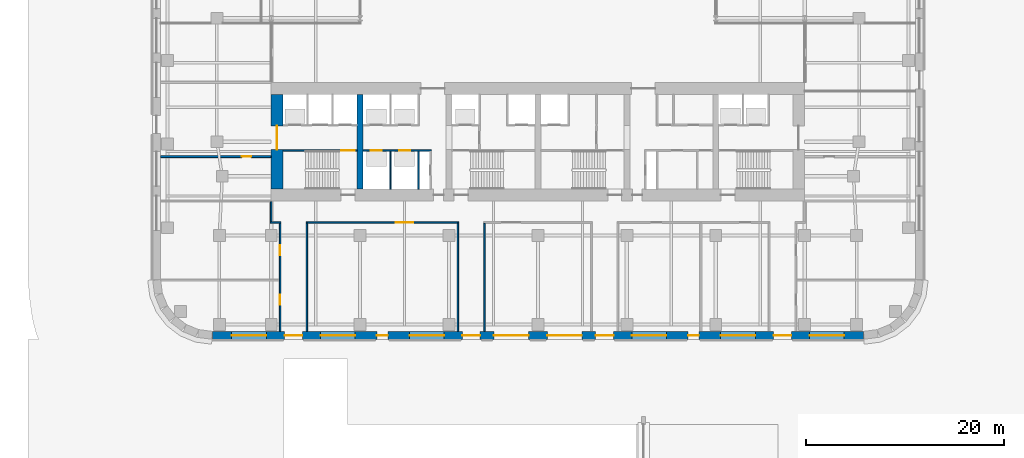
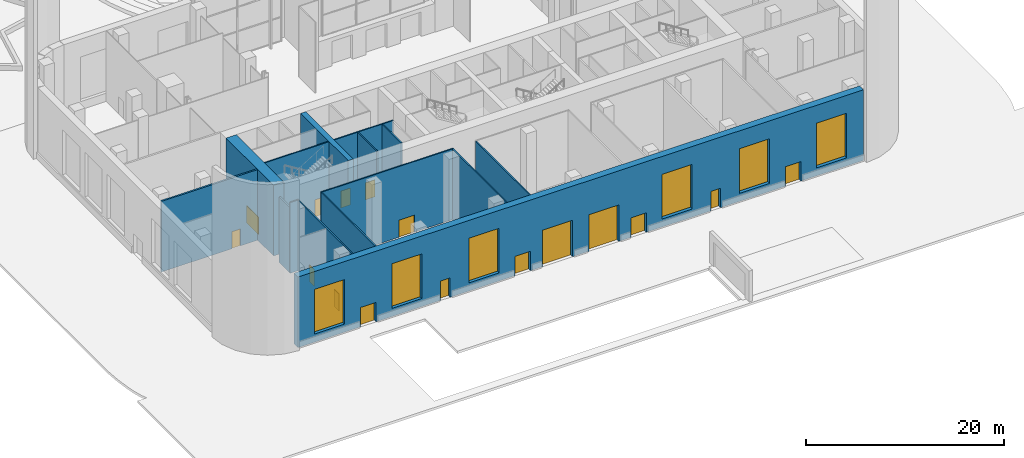
# One storey, part 10 of 23: 16 doors, 15 walls, 6 windows, 22 openings.
"""IFC4 building model written with IfcOpenShell, lengths in metres."""

from ifc_helpers import new_model, si_unit, direction, frame, frame_2d, origin, place, context, subcontext, project, spatial, rectangle, extrude, material, layer, layer_set, type_object, element, fill, save


model = new_model("IFC4")

# Units and contexts
model_context = context("Model", 3, precision=1e-05, world=origin(), true_north=direction((0.0, 1.0)))
body_context = subcontext(model_context, "Body", "Model", "MODEL_VIEW")
ifc_project = project(units=[si_unit("LENGTHUNIT", "METRE"), si_unit("AREAUNIT", "SQUARE_METRE"), si_unit("VOLUMEUNIT", "CUBIC_METRE"), si_unit("PLANEANGLEUNIT", "RADIAN"), si_unit("MASSUNIT", "GRAM", prefix="KILO")], contexts=[model_context])

# Site, building, storey
site_placement = place(None, origin())
site = spatial("IfcSite", under=ifc_project, at=site_placement, CompositionType="ELEMENT")
building_placement = place(site_placement, origin())
building = spatial("IfcBuilding", under=site, at=building_placement, Name="Zellij Exchange Tower", CompositionType="ELEMENT")
storey_placement = place(building_placement, origin())
storey = spatial("IfcBuildingStorey", under=building, at=storey_placement, Name="L00", CompositionType="ELEMENT", Elevation=0.0)

# Walls
ifc_material_1 = material(Name="Concrete C70/85", Category="concrete")
ifc_layer_1 = layer(ifc_material_1, 0.60009765625)
ifc_layer_set_1 = layer_set([ifc_layer_1], Name="Concrete C70/85")
wall_type_1 = type_object("IfcWallType", Name="CORE-CW 600 C70/85", PredefinedType="SHEAR", material=ifc_layer_set_1)
wall_1_placement = place(storey_placement, frame((-18.0, -12.800048828125, 0.0), z_axis=(0.0, 0.0, 1.0), x_axis=(0.0, 1.0, 0.0)))
element("IfcWall", 1, at=wall_1_placement, inside=storey, type_object=wall_type_1, Name="Core cross wall x -18 L00", PredefinedType="SHEAR", context=body_context, shape_type="SweptSolid", body=[
    extrude(rectangle(XDim=9.60009765625, YDim=0.60009765625, at=frame_2d((4.800048828125, 0.0))), origin(), (0.0, 0.0, 1.0), 8.699951171875),
])
ifc_material_2 = material(Name="Gypsum shaft wall system")
ifc_layer_2 = layer(ifc_material_2, 0.14990234375)
ifc_layer_set_2 = layer_set([ifc_layer_2], Name="Gypsum shaft wall system")
wall_type_2 = type_object("IfcWallType", Name="CORE-PW 150 Lift shaft wall", PredefinedType="PARTITIONING", material=ifc_layer_set_2)
for number, where, z_axis, x_axis, name in (
    (2, (-12.074951171875, -12.800048828125, 0.0), (0.0, 0.0, 1.0), (0.0, 1.0, 0.0), "Lift shaft wall L00"),
    (3, (-14.925048828125, -12.800048828125, 0.0), (0.0, 0.0, 1.0), (0.0, 1.0, 0.0), "Lift shaft wall L00"),
):
    element("IfcWall", number, at=place(storey_placement, frame(where, z_axis=z_axis, x_axis=x_axis)), inside=storey, type_object=wall_type_2, Name=name, PredefinedType="PARTITIONING", context=body_context, shape_type="SweptSolid", body=[
        extrude(rectangle(XDim=3.85009765625, YDim=0.14990234375, at=frame_2d((1.925048828125, 0.0))), origin(), (0.0, 0.0, 1.0), 8.699951171875),
    ])

# Wall, openings, doors
wall_2_placement = place(storey_placement, frame((-17.699951171875, -8.875, 0.0), z_axis=(0.0, 0.0, 1.0), x_axis=(1.0, 0.0, 0.0)))
wall_2 = element("IfcWall", 4, at=wall_2_placement, inside=storey, type_object=wall_type_2, Name="Lift shaft wall L00", PredefinedType="PARTITIONING", context=body_context, shape_type="SweptSolid", body=[
    extrude(rectangle(XDim=6.89990234375, YDim=0.14990234375, at=frame_2d((3.449951171875, 0.0))), origin(), (0.0, 0.0, 1.0), 8.699951171875),
])
opening_1_placement = place(wall_2_placement, frame((0.800048828125, 0.0, 0.0)))
opening_1 = element("IfcOpeningElement", 5, at=opening_1_placement, cuts=wall_2, Name="Opening CA-03.07", PredefinedType="OPENING", context=body_context, shape_type="SweptSolid", body=[
    extrude(rectangle(XDim=1.10009765625, YDim=2.10009765625, at=frame_2d((0.550048828125, 1.050048828125))), frame((0.0, 0.0869140625, 0.0), z_axis=(0.0, -1.0, 0.0), x_axis=(1.0, 0.0, 0.0)), (0.0, 0.0, 1.0), 0.173828125),
])
opening_2_placement = place(wall_2_placement, frame((3.64990234375, 0.0, 0.0)))
opening_2 = element("IfcOpeningElement", 6, at=opening_2_placement, cuts=wall_2, Name="Opening CA-03.09", PredefinedType="OPENING", context=body_context, shape_type="SweptSolid", body=[
    extrude(rectangle(XDim=1.10009765625, YDim=2.10009765625, at=frame_2d((0.550048828125, 1.050048828125))), frame((0.0, 0.0869140625, 0.0), z_axis=(0.0, -1.0, 0.0), x_axis=(1.0, 0.0, 0.0)), (0.0, 0.0, 1.0), 0.173828125),
])
ifc_material_3 = material(Name="Hollow metal fire door")
door_type_1 = type_object("IfcDoorType", Name="CORE-D LD Lift landing door 1100x2100 1.5 HR", OperationType="NOTDEFINED", PredefinedType="DOOR", material=ifc_material_3)
door_1_placement = place(opening_1_placement, origin())
door_1 = element("IfcDoor", 7, at=door_1_placement, inside=storey, type_object=door_type_1, Name="Lift landing door CA-03.07", OperationType="SLIDING_TO_LEFT", OverallHeight=2.10009765625, OverallWidth=1.10009765625, PredefinedType="DOOR", context=body_context, shape_type="SweptSolid", body=[
    extrude(rectangle(XDim=1.10009765625, YDim=2.10009765625, at=frame_2d((0.550048828125, 1.050048828125))), frame((0.0, 0.02490234375, 0.0), z_axis=(0.0, -1.0, 0.0), x_axis=(1.0, 0.0, 0.0)), (0.0, 0.0, 1.0), 0.050048828125),
])
fill(opening_1, door_1)
door_2_placement = place(opening_2_placement, origin())
door_2 = element("IfcDoor", 8, at=door_2_placement, inside=storey, type_object=door_type_1, Name="Lift landing door CA-03.09", OperationType="SLIDING_TO_LEFT", OverallHeight=2.10009765625, OverallWidth=1.10009765625, PredefinedType="DOOR", context=body_context, shape_type="SweptSolid", body=[
    extrude(rectangle(XDim=1.10009765625, YDim=2.10009765625, at=frame_2d((0.550048828125, 1.050048828125))), frame((0.0, 0.02490234375, 0.0), z_axis=(0.0, -1.0, 0.0), x_axis=(1.0, 0.0, 0.0)), (0.0, 0.0, 1.0), 0.050048828125),
])
fill(opening_2, door_2)

# Wall, opening, door
ifc_layer_3 = layer(ifc_material_1, 1.199951171875)
ifc_layer_set_3 = layer_set([ifc_layer_3], Name="Concrete C70/85")
wall_type_3 = type_object("IfcWallType", Name="CORE-SW 1200 C70/85", PredefinedType="SHEAR", material=ifc_layer_set_3)
wall_3_placement = place(storey_placement, frame((-26.39990234375, -12.800048828125, 0.0), z_axis=(0.0, 0.0, 1.0), x_axis=(0.0, 1.0, 0.0)))
wall_3 = element("IfcWall", 9, at=wall_3_placement, inside=storey, type_object=wall_type_3, Name="Core shear wall end w L00", PredefinedType="SHEAR", context=body_context, shape_type="SweptSolid", body=[
    extrude(rectangle(XDim=9.60009765625, YDim=1.199951171875, at=frame_2d((4.800048828125, 0.0))), origin(), (0.0, 0.0, 1.0), 8.699951171875),
])
opening_3_placement = place(wall_3_placement, frame((4.011962890625, 0.0, 0.0)))
opening_3 = element("IfcOpeningElement", 10, at=opening_3_placement, cuts=wall_3, Name="Opening CA-03.01", PredefinedType="OPENING", context=body_context, shape_type="SweptSolid", body=[
    extrude(rectangle(XDim=2.39990234375, YDim=2.10009765625, at=frame_2d((1.199951171875, 1.050048828125))), frame((0.0, 0.61181640625, 0.0), z_axis=(0.0, -1.0, 0.0), x_axis=(1.0, 0.0, 0.0)), (0.0, 0.0, 1.0), 1.223876953125),
])
door_type_2 = type_object("IfcDoorType", Name="CORE-D CE Core entrance door 2400x2100 20 MIN", OperationType="NOTDEFINED", PredefinedType="DOOR", material=ifc_material_3)
door_3_placement = place(opening_3_placement, origin())
door_3 = element("IfcDoor", 11, at=door_3_placement, inside=storey, type_object=door_type_2, Name="Core entrance door CA-03.01", OperationType="DOUBLE_DOOR_SINGLE_SWING", OverallHeight=2.10009765625, OverallWidth=2.39990234375, PredefinedType="DOOR", context=body_context, shape_type="SweptSolid", body=[
    extrude(rectangle(XDim=2.39990234375, YDim=2.10009765625, at=frame_2d((1.199951171875, 1.050048828125))), frame((0.0, 0.02490234375, 0.0), z_axis=(0.0, -1.0, 0.0), x_axis=(1.0, 0.0, 0.0)), (0.0, 0.0, 1.0), 0.050048828125),
])
fill(opening_3, door_3)

ifc_layer_4 = layer(ifc_material_1, 0.14990234375)
ifc_layer_set_4 = layer_set([ifc_layer_4], Name="Concrete C70/85")
wall_type_4 = type_object("IfcWallType", Name="CORE-SWS 150 C70/85", PredefinedType="SHEAR", material=ifc_layer_set_4)
wall_4_placement = place(storey_placement, frame((-25.800048828125, -8.875, 0.0), z_axis=(0.0, 0.0, 1.0), x_axis=(1.0, 0.0, 0.0)))
wall_4 = element("IfcWall", 12, at=wall_4_placement, inside=storey, type_object=wall_type_4, Name="Stair enclosure wall L00", PredefinedType="SHEAR", context=body_context, shape_type="SweptSolid", body=[
    extrude(rectangle(XDim=7.5, YDim=0.14990234375, at=frame_2d((3.75, 0.0))), origin(), (0.0, 0.0, 1.0), 8.699951171875),
])
opening_4_placement = place(wall_4_placement, frame((5.875, 0.0, 0.0)))
opening_4 = element("IfcOpeningElement", 13, at=opening_4_placement, cuts=wall_4, Name="Opening CA-03.06", PredefinedType="OPENING", context=body_context, shape_type="SweptSolid", body=[
    extrude(rectangle(XDim=1.39990234375, YDim=2.10009765625, at=frame_2d((0.699951171875, 1.050048828125))), frame((0.0, 0.0869140625, 0.0), z_axis=(0.0, -1.0, 0.0), x_axis=(1.0, 0.0, 0.0)), (0.0, 0.0, 1.0), 0.173828125),
])
door_type_3 = type_object("IfcDoorType", Name="CORE-D SD Stair door 1400x2100 1.5 HR", OperationType="NOTDEFINED", PredefinedType="DOOR", material=ifc_material_3)
door_4_placement = place(opening_4_placement, origin())
door_4 = element("IfcDoor", 14, at=door_4_placement, inside=storey, type_object=door_type_3, Name="Stair door CA-03.06", OperationType="DOUBLE_DOOR_SINGLE_SWING", OverallHeight=2.10009765625, OverallWidth=1.39990234375, PredefinedType="DOOR", context=body_context, shape_type="SweptSolid", body=[
    extrude(rectangle(XDim=1.39990234375, YDim=2.10009765625, at=frame_2d((0.699951171875, 1.050048828125))), frame((0.0, 0.02490234375, 0.0), z_axis=(0.0, -1.0, 0.0), x_axis=(1.0, 0.0, 0.0)), (0.0, 0.0, 1.0), 0.050048828125),
])
fill(opening_4, door_4)

# Wall, openings, doors, windows
ifc_material_4 = material(Name="Precast concrete C40/50", Category="concrete")
ifc_layer_5 = layer(ifc_material_4, 0.800048828125)
ifc_layer_set_5 = layer_set([ifc_layer_5], Name="Precast concrete C40/50")
wall_type_5 = type_object("IfcWallType", Name="ENV-EW1 Precast stone-piered wall 800", PredefinedType="SOLIDWALL", material=ifc_layer_set_5)
wall_5_placement = place(storey_placement, frame((-32.947509765625, -27.60009765625, 0.0), z_axis=(0.0, 0.0, 1.0), x_axis=(1.0, 0.0, 0.0)))
wall_5 = element("IfcWall", 15, at=wall_5_placement, inside=storey, type_object=wall_type_5, Name="fac.L00.00", PredefinedType="SOLIDWALL", context=body_context, shape_type="SweptSolid", body=[
    extrude(rectangle(XDim=65.89501953125, YDim=0.800048828125, at=frame_2d((32.947509765625, 0.0))), origin(), (0.0, 0.0, 1.0), 8.699951171875),
])
opening_5_placement = place(wall_5_placement, frame((1.947509765625, 0.0, 1.0)))
opening_5 = element("IfcOpeningElement", 16, at=opening_5_placement, cuts=wall_5, Name="Opening FP0.01", PredefinedType="OPENING", context=body_context, shape_type="SweptSolid", body=[
    extrude(rectangle(XDim=3.5, YDim=5.5, at=frame_2d((1.75, 2.75))), frame((0.0, 0.412109375, 0.0), z_axis=(0.0, -1.0, 0.0), x_axis=(1.0, 0.0, 0.0)), (0.0, 0.0, 1.0), 0.823974609375),
])
opening_6_placement = place(wall_5_placement, frame((10.947509765625, 0.0, 1.0)))
opening_6 = element("IfcOpeningElement", 17, at=opening_6_placement, cuts=wall_5, Name="Opening FP0.02", PredefinedType="OPENING", context=body_context, shape_type="SweptSolid", body=[
    extrude(rectangle(XDim=3.5, YDim=5.5, at=frame_2d((1.75, 2.75))), frame((0.0, 0.412109375, 0.0), z_axis=(0.0, -1.0, 0.0), x_axis=(1.0, 0.0, 0.0)), (0.0, 0.0, 1.0), 0.823974609375),
])
opening_7_placement = place(wall_5_placement, frame((19.947509765625, 0.0, 1.0)))
opening_7 = element("IfcOpeningElement", 18, at=opening_7_placement, cuts=wall_5, Name="Opening FP0.03", PredefinedType="OPENING", context=body_context, shape_type="SweptSolid", body=[
    extrude(rectangle(XDim=3.5, YDim=5.5, at=frame_2d((1.75, 2.75))), frame((0.0, 0.412109375, 0.0), z_axis=(0.0, -1.0, 0.0), x_axis=(1.0, 0.0, 0.0)), (0.0, 0.0, 1.0), 0.823974609375),
])
opening_8_placement = place(wall_5_placement, frame((42.447509765625, 0.0, 1.0)))
opening_8 = element("IfcOpeningElement", 19, at=opening_8_placement, cuts=wall_5, Name="Opening FP0.04", PredefinedType="OPENING", context=body_context, shape_type="SweptSolid", body=[
    extrude(rectangle(XDim=3.5, YDim=5.5, at=frame_2d((1.75, 2.75))), frame((0.0, 0.412109375, 0.0), z_axis=(0.0, -1.0, 0.0), x_axis=(1.0, 0.0, 0.0)), (0.0, 0.0, 1.0), 0.823974609375),
])
opening_9_placement = place(wall_5_placement, frame((51.447509765625, 0.0, 1.0)))
opening_9 = element("IfcOpeningElement", 20, at=opening_9_placement, cuts=wall_5, Name="Opening FP0.05", PredefinedType="OPENING", context=body_context, shape_type="SweptSolid", body=[
    extrude(rectangle(XDim=3.5, YDim=5.5, at=frame_2d((1.75, 2.75))), frame((0.0, 0.412109375, 0.0), z_axis=(0.0, -1.0, 0.0), x_axis=(1.0, 0.0, 0.0)), (0.0, 0.0, 1.0), 0.823974609375),
])
opening_10_placement = place(wall_5_placement, frame((60.447509765625, 0.0, 1.0)))
opening_10 = element("IfcOpeningElement", 21, at=opening_10_placement, cuts=wall_5, Name="Opening FP0.06", PredefinedType="OPENING", context=body_context, shape_type="SweptSolid", body=[
    extrude(rectangle(XDim=3.5, YDim=5.5, at=frame_2d((1.75, 2.75))), frame((0.0, 0.412109375, 0.0), z_axis=(0.0, -1.0, 0.0), x_axis=(1.0, 0.0, 0.0)), (0.0, 0.0, 1.0), 0.823974609375),
])
opening_11_placement = place(wall_5_placement, frame((7.297607421875, 0.0, 0.0)))
opening_11 = element("IfcOpeningElement", 22, at=opening_11_placement, cuts=wall_5, Name="Opening FP0.23", PredefinedType="OPENING", context=body_context, shape_type="SweptSolid", body=[
    extrude(rectangle(XDim=1.800048828125, YDim=2.39990234375, at=frame_2d((0.89990234375, 1.199951171875))), frame((0.0, 0.412109375, 0.0), z_axis=(0.0, -1.0, 0.0), x_axis=(1.0, 0.0, 0.0)), (0.0, 0.0, 1.0), 0.823974609375),
])
opening_12_placement = place(wall_5_placement, frame((16.647705078125, 0.0, 0.0)))
opening_12 = element("IfcOpeningElement", 23, at=opening_12_placement, cuts=wall_5, Name="Opening FP0.24", PredefinedType="OPENING", context=body_context, shape_type="SweptSolid", body=[
    extrude(rectangle(XDim=1.10009765625, YDim=2.39990234375, at=frame_2d((0.550048828125, 1.199951171875))), frame((0.0, 0.412109375, 0.0), z_axis=(0.0, -1.0, 0.0), x_axis=(1.0, 0.0, 0.0)), (0.0, 0.0, 1.0), 0.823974609375),
])
opening_13_placement = place(wall_5_placement, frame((25.297607421875, 0.0, 0.0)))
opening_13 = element("IfcOpeningElement", 24, at=opening_13_placement, cuts=wall_5, Name="Opening FP0.25", PredefinedType="OPENING", context=body_context, shape_type="SweptSolid", body=[
    extrude(rectangle(XDim=1.800048828125, YDim=2.39990234375, at=frame_2d((0.89990234375, 1.199951171875))), frame((0.0, 0.412109375, 0.0), z_axis=(0.0, -1.0, 0.0), x_axis=(1.0, 0.0, 0.0)), (0.0, 0.0, 1.0), 0.823974609375),
])
opening_14_placement = place(wall_5_placement, frame((28.49755859375, 0.0, 0.0)))
opening_14 = element("IfcOpeningElement", 25, at=opening_14_placement, cuts=wall_5, Name="Opening FP0.26", PredefinedType="OPENING", context=body_context, shape_type="SweptSolid", body=[
    extrude(rectangle(XDim=3.5, YDim=4.5, at=frame_2d((1.75, 2.25))), frame((0.0, 0.412109375, 0.0), z_axis=(0.0, -1.0, 0.0), x_axis=(1.0, 0.0, 0.0)), (0.0, 0.0, 1.0), 0.823974609375),
])
opening_15_placement = place(wall_5_placement, frame((33.897705078125, 0.0, 0.0)))
opening_15 = element("IfcOpeningElement", 26, at=opening_15_placement, cuts=wall_5, Name="Opening FP0.27", PredefinedType="OPENING", context=body_context, shape_type="SweptSolid", body=[
    extrude(rectangle(XDim=3.5, YDim=4.5, at=frame_2d((1.75, 2.25))), frame((0.0, 0.412109375, 0.0), z_axis=(0.0, -1.0, 0.0), x_axis=(1.0, 0.0, 0.0)), (0.0, 0.0, 1.0), 0.823974609375),
])
opening_16_placement = place(wall_5_placement, frame((38.797607421875, 0.0, 0.0)))
opening_16 = element("IfcOpeningElement", 27, at=opening_16_placement, cuts=wall_5, Name="Opening FP0.28", PredefinedType="OPENING", context=body_context, shape_type="SweptSolid", body=[
    extrude(rectangle(XDim=1.800048828125, YDim=2.39990234375, at=frame_2d((0.89990234375, 1.199951171875))), frame((0.0, 0.412109375, 0.0), z_axis=(0.0, -1.0, 0.0), x_axis=(1.0, 0.0, 0.0)), (0.0, 0.0, 1.0), 0.823974609375),
])
opening_17_placement = place(wall_5_placement, frame((48.147705078125, 0.0, 0.0)))
opening_17 = element("IfcOpeningElement", 28, at=opening_17_placement, cuts=wall_5, Name="Opening FP0.29", PredefinedType="OPENING", context=body_context, shape_type="SweptSolid", body=[
    extrude(rectangle(XDim=1.10009765625, YDim=2.39990234375, at=frame_2d((0.550048828125, 1.199951171875))), frame((0.0, 0.412109375, 0.0), z_axis=(0.0, -1.0, 0.0), x_axis=(1.0, 0.0, 0.0)), (0.0, 0.0, 1.0), 0.823974609375),
])
opening_18_placement = place(wall_5_placement, frame((56.797607421875, 0.0, 0.0)))
opening_18 = element("IfcOpeningElement", 29, at=opening_18_placement, cuts=wall_5, Name="Opening FP0.30", PredefinedType="OPENING", context=body_context, shape_type="SweptSolid", body=[
    extrude(rectangle(XDim=1.800048828125, YDim=2.39990234375, at=frame_2d((0.89990234375, 1.199951171875))), frame((0.0, 0.412109375, 0.0), z_axis=(0.0, -1.0, 0.0), x_axis=(1.0, 0.0, 0.0)), (0.0, 0.0, 1.0), 0.823974609375),
])
ifc_material_5 = material(Name="Galvanised steel service door", Category="steel")
door_type_4 = type_object("IfcDoorType", Name="ENV-ED3 Service door 1100x2400", OperationType="SINGLE_SWING_LEFT", PredefinedType="DOOR", material=ifc_material_5)
door_5_placement = place(opening_12_placement, frame((1.10009765625, 0.0, 0.0), z_axis=(0.0, 0.0, 1.0), x_axis=(-1.0, 0.0, 0.0)))
door_5 = element("IfcDoor", 30, at=door_5_placement, inside=storey, type_object=door_type_4, Name="Service door FP0.24", OperationType="SINGLE_SWING_LEFT", OverallHeight=2.39990234375, OverallWidth=1.10009765625, PredefinedType="DOOR", context=body_context, shape_type="SweptSolid", body=[
    extrude(rectangle(XDim=1.10009765625, YDim=2.39990234375, at=frame_2d((0.550048828125, 1.199951171875))), frame((0.0, 0.02490234375, 0.0), z_axis=(0.0, -1.0, 0.0), x_axis=(1.0, 0.0, 0.0)), (0.0, 0.0, 1.0), 0.050048828125),
])
fill(opening_12, door_5)
door_6_placement = place(opening_17_placement, frame((1.10009765625, 0.0, 0.0), z_axis=(0.0, 0.0, 1.0), x_axis=(-1.0, 0.0, 0.0)))
door_6 = element("IfcDoor", 31, at=door_6_placement, inside=storey, type_object=door_type_4, Name="Service door FP0.29", OperationType="SINGLE_SWING_LEFT", OverallHeight=2.39990234375, OverallWidth=1.10009765625, PredefinedType="DOOR", context=body_context, shape_type="SweptSolid", body=[
    extrude(rectangle(XDim=1.10009765625, YDim=2.39990234375, at=frame_2d((0.550048828125, 1.199951171875))), frame((0.0, 0.02490234375, 0.0), z_axis=(0.0, -1.0, 0.0), x_axis=(1.0, 0.0, 0.0)), (0.0, 0.0, 1.0), 0.050048828125),
])
fill(opening_17, door_6)
ifc_material_6 = material(Name="Galvanised steel roller shutter", Category="steel")
door_type_5 = type_object("IfcDoorType", Name="ENV-ED4 Loading dock roller shutter 3500x4500", OperationType="ROLLINGUP", PredefinedType="GATE", material=ifc_material_6)
door_7_placement = place(opening_14_placement, origin())
door_7 = element("IfcDoor", 32, at=door_7_placement, inside=storey, type_object=door_type_5, Name="Dock door FP0.26", OperationType="ROLLINGUP", OverallHeight=4.5, OverallWidth=3.5, PredefinedType="GATE", context=body_context, shape_type="SweptSolid", body=[
    extrude(rectangle(XDim=3.5, YDim=4.5, at=frame_2d((1.75, 2.25))), frame((0.0, 0.02490234375, 0.0), z_axis=(0.0, -1.0, 0.0), x_axis=(1.0, 0.0, 0.0)), (0.0, 0.0, 1.0), 0.050048828125),
])
fill(opening_14, door_7)
door_8_placement = place(opening_15_placement, origin())
door_8 = element("IfcDoor", 33, at=door_8_placement, inside=storey, type_object=door_type_5, Name="Dock door FP0.27", OperationType="ROLLINGUP", OverallHeight=4.5, OverallWidth=3.5, PredefinedType="GATE", context=body_context, shape_type="SweptSolid", body=[
    extrude(rectangle(XDim=3.5, YDim=4.5, at=frame_2d((1.75, 2.25))), frame((0.0, 0.02490234375, 0.0), z_axis=(0.0, -1.0, 0.0), x_axis=(1.0, 0.0, 0.0)), (0.0, 0.0, 1.0), 0.050048828125),
])
fill(opening_15, door_8)
ifc_material_7 = material(Name="Galvanised steel exit door", Category="steel")
door_type_6 = type_object("IfcDoorType", Name="ENV-ED6 Exit discharge door 1800x2400", OperationType="DOUBLE_DOOR_SINGLE_SWING", PredefinedType="DOOR", material=ifc_material_7)
door_9_placement = place(opening_11_placement, frame((1.800048828125, 0.0, 0.0), z_axis=(0.0, 0.0, 1.0), x_axis=(-1.0, 0.0, 0.0)))
door_9 = element("IfcDoor", 34, at=door_9_placement, inside=storey, type_object=door_type_6, Name="Exit discharge door FP0.23", OperationType="DOUBLE_DOOR_SINGLE_SWING", OverallHeight=2.39990234375, OverallWidth=1.800048828125, PredefinedType="DOOR", context=body_context, shape_type="SweptSolid", body=[
    extrude(rectangle(XDim=1.800048828125, YDim=2.39990234375, at=frame_2d((0.89990234375, 1.199951171875))), frame((0.0, 0.02490234375, 0.0), z_axis=(0.0, -1.0, 0.0), x_axis=(1.0, 0.0, 0.0)), (0.0, 0.0, 1.0), 0.050048828125),
])
fill(opening_11, door_9)
door_10_placement = place(opening_13_placement, frame((1.800048828125, 0.0, 0.0), z_axis=(0.0, 0.0, 1.0), x_axis=(-1.0, 0.0, 0.0)))
door_10 = element("IfcDoor", 35, at=door_10_placement, inside=storey, type_object=door_type_6, Name="Exit discharge door FP0.25", OperationType="DOUBLE_DOOR_SINGLE_SWING", OverallHeight=2.39990234375, OverallWidth=1.800048828125, PredefinedType="DOOR", context=body_context, shape_type="SweptSolid", body=[
    extrude(rectangle(XDim=1.800048828125, YDim=2.39990234375, at=frame_2d((0.89990234375, 1.199951171875))), frame((0.0, 0.02490234375, 0.0), z_axis=(0.0, -1.0, 0.0), x_axis=(1.0, 0.0, 0.0)), (0.0, 0.0, 1.0), 0.050048828125),
])
fill(opening_13, door_10)
door_11_placement = place(opening_16_placement, frame((1.800048828125, 0.0, 0.0), z_axis=(0.0, 0.0, 1.0), x_axis=(-1.0, 0.0, 0.0)))
door_11 = element("IfcDoor", 36, at=door_11_placement, inside=storey, type_object=door_type_6, Name="Exit discharge door FP0.28", OperationType="DOUBLE_DOOR_SINGLE_SWING", OverallHeight=2.39990234375, OverallWidth=1.800048828125, PredefinedType="DOOR", context=body_context, shape_type="SweptSolid", body=[
    extrude(rectangle(XDim=1.800048828125, YDim=2.39990234375, at=frame_2d((0.89990234375, 1.199951171875))), frame((0.0, 0.02490234375, 0.0), z_axis=(0.0, -1.0, 0.0), x_axis=(1.0, 0.0, 0.0)), (0.0, 0.0, 1.0), 0.050048828125),
])
fill(opening_16, door_11)
door_12_placement = place(opening_18_placement, frame((1.800048828125, 0.0, 0.0), z_axis=(0.0, 0.0, 1.0), x_axis=(-1.0, 0.0, 0.0)))
door_12 = element("IfcDoor", 37, at=door_12_placement, inside=storey, type_object=door_type_6, Name="Exit discharge door FP0.30", OperationType="DOUBLE_DOOR_SINGLE_SWING", OverallHeight=2.39990234375, OverallWidth=1.800048828125, PredefinedType="DOOR", context=body_context, shape_type="SweptSolid", body=[
    extrude(rectangle(XDim=1.800048828125, YDim=2.39990234375, at=frame_2d((0.89990234375, 1.199951171875))), frame((0.0, 0.02490234375, 0.0), z_axis=(0.0, -1.0, 0.0), x_axis=(1.0, 0.0, 0.0)), (0.0, 0.0, 1.0), 0.050048828125),
])
fill(opening_18, door_12)
ifc_material_8 = material(Name="Aluminium frame with insulating glass", Category="aluminium")
window_type = type_object("IfcWindowType", Name="ENV-W3 Window 3500x5500", PartitioningType="SINGLE_PANEL", PredefinedType="WINDOW", material=ifc_material_8)
window_1_placement = place(opening_5_placement, origin())
window_1 = element("IfcWindow", 38, at=window_1_placement, inside=storey, type_object=window_type, Name="Window FP0.01", OverallHeight=5.5, OverallWidth=3.5, PartitioningType="SINGLE_PANEL", PredefinedType="WINDOW", context=body_context, shape_type="SweptSolid", body=[
    extrude(rectangle(XDim=3.5, YDim=5.5, at=frame_2d((1.75, 2.75))), frame((0.0, 0.030029296875, 0.0), z_axis=(0.0, -1.0, 0.0), x_axis=(1.0, 0.0, 0.0)), (0.0, 0.0, 1.0), 0.06005859375),
])
fill(opening_5, window_1)
window_2_placement = place(opening_6_placement, origin())
window_2 = element("IfcWindow", 39, at=window_2_placement, inside=storey, type_object=window_type, Name="Window FP0.02", OverallHeight=5.5, OverallWidth=3.5, PartitioningType="SINGLE_PANEL", PredefinedType="WINDOW", context=body_context, shape_type="SweptSolid", body=[
    extrude(rectangle(XDim=3.5, YDim=5.5, at=frame_2d((1.75, 2.75))), frame((0.0, 0.030029296875, 0.0), z_axis=(0.0, -1.0, 0.0), x_axis=(1.0, 0.0, 0.0)), (0.0, 0.0, 1.0), 0.06005859375),
])
fill(opening_6, window_2)
window_3_placement = place(opening_7_placement, origin())
window_3 = element("IfcWindow", 40, at=window_3_placement, inside=storey, type_object=window_type, Name="Window FP0.03", OverallHeight=5.5, OverallWidth=3.5, PartitioningType="SINGLE_PANEL", PredefinedType="WINDOW", context=body_context, shape_type="SweptSolid", body=[
    extrude(rectangle(XDim=3.5, YDim=5.5, at=frame_2d((1.75, 2.75))), frame((0.0, 0.030029296875, 0.0), z_axis=(0.0, -1.0, 0.0), x_axis=(1.0, 0.0, 0.0)), (0.0, 0.0, 1.0), 0.06005859375),
])
fill(opening_7, window_3)
window_4_placement = place(opening_8_placement, origin())
window_4 = element("IfcWindow", 41, at=window_4_placement, inside=storey, type_object=window_type, Name="Window FP0.04", OverallHeight=5.5, OverallWidth=3.5, PartitioningType="SINGLE_PANEL", PredefinedType="WINDOW", context=body_context, shape_type="SweptSolid", body=[
    extrude(rectangle(XDim=3.5, YDim=5.5, at=frame_2d((1.75, 2.75))), frame((0.0, 0.030029296875, 0.0), z_axis=(0.0, -1.0, 0.0), x_axis=(1.0, 0.0, 0.0)), (0.0, 0.0, 1.0), 0.06005859375),
])
fill(opening_8, window_4)
window_5_placement = place(opening_9_placement, origin())
window_5 = element("IfcWindow", 42, at=window_5_placement, inside=storey, type_object=window_type, Name="Window FP0.05", OverallHeight=5.5, OverallWidth=3.5, PartitioningType="SINGLE_PANEL", PredefinedType="WINDOW", context=body_context, shape_type="SweptSolid", body=[
    extrude(rectangle(XDim=3.5, YDim=5.5, at=frame_2d((1.75, 2.75))), frame((0.0, 0.030029296875, 0.0), z_axis=(0.0, -1.0, 0.0), x_axis=(1.0, 0.0, 0.0)), (0.0, 0.0, 1.0), 0.06005859375),
])
fill(opening_9, window_5)
window_6_placement = place(opening_10_placement, origin())
window_6 = element("IfcWindow", 43, at=window_6_placement, inside=storey, type_object=window_type, Name="Window FP0.06", OverallHeight=5.5, OverallWidth=3.5, PartitioningType="SINGLE_PANEL", PredefinedType="WINDOW", context=body_context, shape_type="SweptSolid", body=[
    extrude(rectangle(XDim=3.5, YDim=5.5, at=frame_2d((1.75, 2.75))), frame((0.0, 0.030029296875, 0.0), z_axis=(0.0, -1.0, 0.0), x_axis=(1.0, 0.0, 0.0)), (0.0, 0.0, 1.0), 0.06005859375),
])
fill(opening_10, window_6)

# Wall, opening, door
ifc_material_9 = material(Name="Blockwork fire wall", Category="masonry")
ifc_layer_6 = layer(ifc_material_9, 0.199951171875)
ifc_layer_set_6 = layer_set([ifc_layer_6], Name="Blockwork fire wall")
wall_type_6 = type_object("IfcWallType", Name="FIT-BLOCKWORK-200-EI120", PredefinedType="PARTITIONING", material=ifc_layer_set_6)
wall_6_placement = place(storey_placement, frame((-38.199951171875, -9.5, 0.0), z_axis=(0.0, 0.0, 1.0), x_axis=(1.0, 0.0, 0.0)))
wall_6 = element("IfcWall", 44, at=wall_6_placement, inside=storey, type_object=wall_type_6, Name="FIT-BLOCKWORK-200-EI120 021", PredefinedType="PARTITIONING", context=body_context, shape_type="SweptSolid", body=[
    extrude(rectangle(XDim=11.199951171875, YDim=0.199951171875, at=frame_2d((5.60009765625, 0.0))), origin(), (0.0, 0.0, 1.0), 8.699951171875),
])
opening_19_placement = place(wall_6_placement, frame((8.199951171875, 0.0, 0.0)))
opening_19 = element("IfcOpeningElement", 45, at=opening_19_placement, cuts=wall_6, Name="Opening P0.10", PredefinedType="OPENING", context=body_context, shape_type="SweptSolid", body=[
    extrude(rectangle(XDim=1.0, YDim=2.10009765625, at=frame_2d((0.5, 1.050048828125))), frame((0.0, 0.11181640625, 0.0), z_axis=(0.0, -1.0, 0.0), x_axis=(1.0, 0.0, 0.0)), (0.0, 0.0, 1.0), 0.223876953125),
])
ifc_material_10 = material(Name="Steel fire door set", Category="steel")
door_type_7 = type_object("IfcDoorType", Name="FIT-D4-FIRE-1000X2100", OperationType="SINGLE_SWING_LEFT", PredefinedType="DOOR", material=ifc_material_10)
door_13_placement = place(opening_19_placement, origin())
door_13 = element("IfcDoor", 46, at=door_13_placement, inside=storey, type_object=door_type_7, Name="Door P0.10", OperationType="SINGLE_SWING_LEFT", OverallHeight=2.10009765625, OverallWidth=1.0, PredefinedType="DOOR", context=body_context, shape_type="SweptSolid", body=[
    extrude(rectangle(XDim=1.0, YDim=2.10009765625, at=frame_2d((0.5, 1.050048828125))), frame((0.0, 0.02490234375, 0.0), z_axis=(0.0, -1.0, 0.0), x_axis=(1.0, 0.0, 0.0)), (0.0, 0.0, 1.0), 0.050048828125),
])
fill(opening_19, door_13)

# Wall, openings, doors
ifc_material_11 = material(Name="Gypsum board shaft-wall partition", Category="gypsum")
ifc_layer_7 = layer(ifc_material_11, 0.14990234375)
ifc_layer_set_7 = layer_set([ifc_layer_7], Name="Gypsum board shaft-wall partition")
wall_type_7 = type_object("IfcWallType", Name="FIT-PARTITION-150-EI60", PredefinedType="PARTITIONING", material=ifc_layer_set_7)
wall_7_placement = place(storey_placement, frame((-26.10009765625, -27.199951171875, 0.0), z_axis=(0.0, 0.0, 1.0), x_axis=(0.0, 1.0, 0.0)))
wall_7 = element("IfcWall", 47, at=wall_7_placement, inside=storey, type_object=wall_type_7, Name="FIT-PARTITION-150-EI60 001", PredefinedType="PARTITIONING", context=body_context, shape_type="SweptSolid", body=[
    extrude(rectangle(XDim=10.925048828125, YDim=0.14990234375, at=frame_2d((5.46240234375, 0.0))), origin(), (0.0, 0.0, 1.0), 8.699951171875),
])
opening_20_placement = place(wall_7_placement, frame((2.699951171875, 0.0, 0.0)))
opening_20 = element("IfcOpeningElement", 48, at=opening_20_placement, cuts=wall_7, Name="Opening P0.02", PredefinedType="OPENING", context=body_context, shape_type="SweptSolid", body=[
    extrude(rectangle(XDim=1.0, YDim=2.10009765625, at=frame_2d((0.5, 1.050048828125))), frame((0.0, 0.0869140625, 0.0), z_axis=(0.0, -1.0, 0.0), x_axis=(1.0, 0.0, 0.0)), (0.0, 0.0, 1.0), 0.173828125),
])
opening_21_placement = place(wall_7_placement, frame((7.699951171875, 0.0, 0.0)))
opening_21 = element("IfcOpeningElement", 49, at=opening_21_placement, cuts=wall_7, Name="Opening P0.04", PredefinedType="OPENING", context=body_context, shape_type="SweptSolid", body=[
    extrude(rectangle(XDim=1.0, YDim=2.10009765625, at=frame_2d((0.5, 1.050048828125))), frame((0.0, 0.0869140625, 0.0), z_axis=(0.0, -1.0, 0.0), x_axis=(1.0, 0.0, 0.0)), (0.0, 0.0, 1.0), 0.173828125),
])
door_14_placement = place(opening_20_placement, origin())
door_14 = element("IfcDoor", 50, at=door_14_placement, inside=storey, type_object=door_type_7, Name="Door P0.02", OperationType="SINGLE_SWING_RIGHT", OverallHeight=2.10009765625, OverallWidth=1.0, PredefinedType="DOOR", context=body_context, shape_type="SweptSolid", body=[
    extrude(rectangle(XDim=1.0, YDim=2.10009765625, at=frame_2d((0.5, 1.050048828125))), frame((0.0, 0.02490234375, 0.0), z_axis=(0.0, -1.0, 0.0), x_axis=(1.0, 0.0, 0.0)), (0.0, 0.0, 1.0), 0.050048828125),
])
fill(opening_20, door_14)
door_15_placement = place(opening_21_placement, origin())
door_15 = element("IfcDoor", 51, at=door_15_placement, inside=storey, type_object=door_type_7, Name="Door P0.04", OperationType="SINGLE_SWING_RIGHT", OverallHeight=2.10009765625, OverallWidth=1.0, PredefinedType="DOOR", context=body_context, shape_type="SweptSolid", body=[
    extrude(rectangle(XDim=1.0, YDim=2.10009765625, at=frame_2d((0.5, 1.050048828125))), frame((0.0, 0.02490234375, 0.0), z_axis=(0.0, -1.0, 0.0), x_axis=(1.0, 0.0, 0.0)), (0.0, 0.0, 1.0), 0.050048828125),
])
fill(opening_21, door_15)

# Walls
for number, where, z_axis, x_axis, name in (
    (52, (-23.39990234375, -27.199951171875, 0.0), (0.0, 0.0, 1.0), (0.0, 1.0, 0.0), "FIT-PARTITION-150-EI60 002"),
    (53, (-8.10009765625, -27.199951171875, 0.0), (0.0, 0.0, 1.0), (0.0, 1.0, 0.0), "FIT-PARTITION-150-EI60 003"),
    (54, (-5.39990234375, -27.199951171875, 0.0), (0.0, 0.0, 1.0), (0.0, 1.0, 0.0), "FIT-PARTITION-150-EI60 004"),
):
    element("IfcWall", number, at=place(storey_placement, frame(where, z_axis=z_axis, x_axis=x_axis)), inside=storey, type_object=wall_type_7, Name=name, PredefinedType="PARTITIONING", context=body_context, shape_type="SweptSolid", body=[
        extrude(rectangle(XDim=10.925048828125, YDim=0.14990234375, at=frame_2d((5.46240234375, 0.0))), origin(), (0.0, 0.0, 1.0), 8.699951171875),
    ])
wall_8_placement = place(storey_placement, frame((-27.074951171875, -16.199951171875, 0.0), z_axis=(0.0, 0.0, 1.0), x_axis=(1.0, 0.0, 0.0)))
element("IfcWall", 55, at=wall_8_placement, inside=storey, type_object=wall_type_7, Name="FIT-PARTITION-150-EI60 012", PredefinedType="PARTITIONING", context=body_context, shape_type="SweptSolid", body=[
    extrude(rectangle(XDim=1.050048828125, YDim=0.14990234375, at=frame_2d((0.52490234375, 0.0))), origin(), (0.0, 0.0, 1.0), 8.699951171875),
])
wall_9_placement = place(storey_placement, frame((-27.0, -16.125, 0.0), z_axis=(0.0, 0.0, 1.0), x_axis=(0.0, 1.0, 0.0)))
element("IfcWall", 56, at=wall_9_placement, inside=storey, type_object=wall_type_7, Name="FIT-PARTITION-150-EI60 013", PredefinedType="PARTITIONING", context=body_context, shape_type="SweptSolid", body=[
    extrude(rectangle(XDim=2.050048828125, YDim=0.14990234375, at=frame_2d((1.02490234375, 0.0))), origin(), (0.0, 0.0, 1.0), 8.087890625),
])

# Wall, opening, door
wall_10_placement = place(storey_placement, frame((-23.47509765625, -16.199951171875, 0.0), z_axis=(0.0, 0.0, 1.0), x_axis=(1.0, 0.0, 0.0)))
wall_10 = element("IfcWall", 57, at=wall_10_placement, inside=storey, type_object=wall_type_7, Name="FIT-PARTITION-150-EI60 014", PredefinedType="PARTITIONING", context=body_context, shape_type="SweptSolid", body=[
    extrude(rectangle(XDim=15.4501953125, YDim=0.14990234375, at=frame_2d((7.72509765625, 0.0))), origin(), (0.0, 0.0, 1.0), 8.699951171875),
])
opening_22_placement = place(wall_10_placement, frame((9.074951171875, 0.0, 0.0)))
opening_22 = element("IfcOpeningElement", 58, at=opening_22_placement, cuts=wall_10, Name="Opening P0.06", PredefinedType="OPENING", context=body_context, shape_type="SweptSolid", body=[
    extrude(rectangle(XDim=1.800048828125, YDim=2.10009765625, at=frame_2d((0.89990234375, 1.050048828125))), frame((0.0, 0.0869140625, 0.0), z_axis=(0.0, -1.0, 0.0), x_axis=(1.0, 0.0, 0.0)), (0.0, 0.0, 1.0), 0.173828125),
])
door_type_8 = type_object("IfcDoorType", Name="FIT-D5-FIRE-DOUBLE-1800X2100", OperationType="DOUBLE_DOOR_SINGLE_SWING", PredefinedType="DOOR", material=ifc_material_10)
door_16_placement = place(opening_22_placement, origin())
door_16 = element("IfcDoor", 59, at=door_16_placement, inside=storey, type_object=door_type_8, Name="Door P0.06", OperationType="DOUBLE_DOOR_SINGLE_SWING", OverallHeight=2.10009765625, OverallWidth=1.800048828125, PredefinedType="DOOR", context=body_context, shape_type="SweptSolid", body=[
    extrude(rectangle(XDim=1.800048828125, YDim=2.10009765625, at=frame_2d((0.89990234375, 1.050048828125))), frame((0.0, 0.02490234375, 0.0), z_axis=(0.0, -1.0, 0.0), x_axis=(1.0, 0.0, 0.0)), (0.0, 0.0, 1.0), 0.050048828125),
])
fill(opening_22, door_16)

save(model, "model.ifc")
